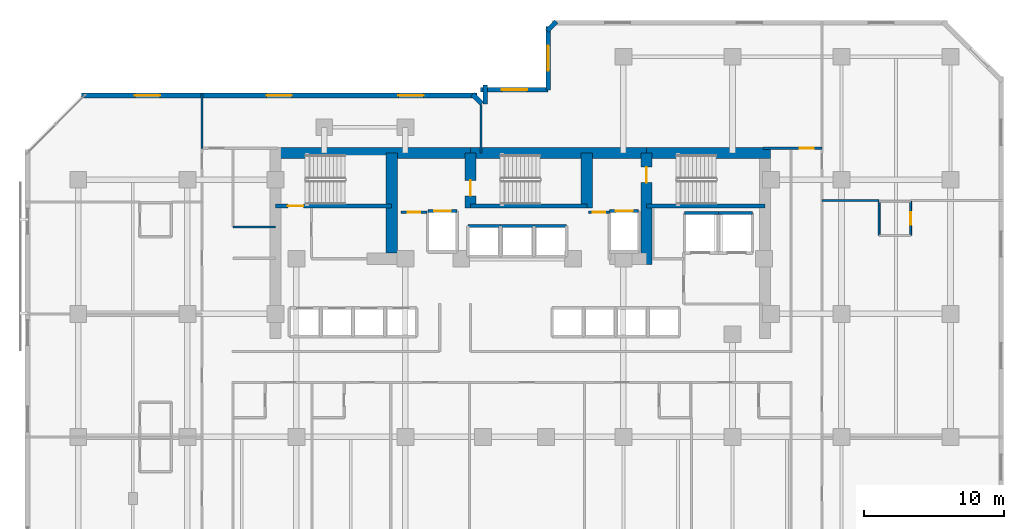
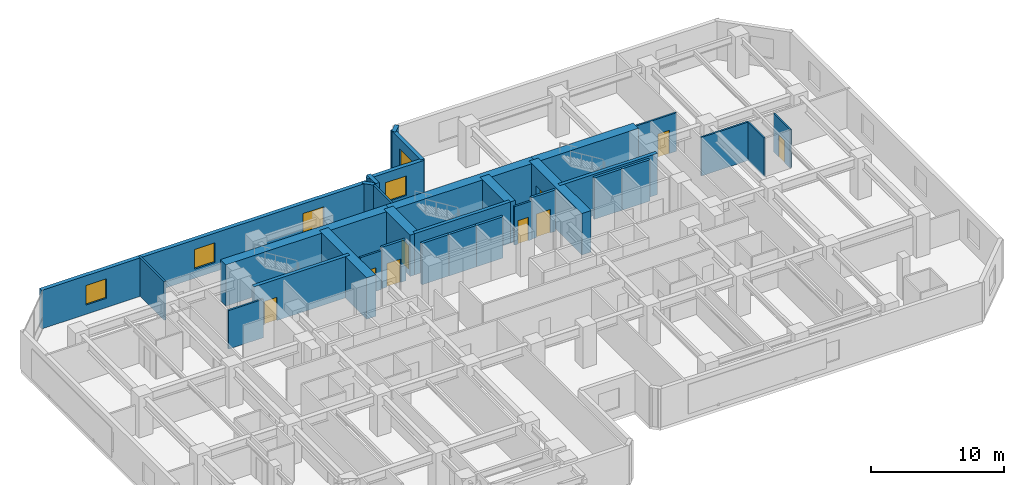
# One storey, part 9 of 12: 32 walls, 9 doors, 5 windows, 14 openings.
"""IFC4 building model written with IfcOpenShell, lengths in metres."""

from ifc_helpers import new_model, si_unit, direction, frame, frame_2d, origin, place, context, subcontext, project, spatial, rectangle, extrude, material, layer, layer_set, type_object, element, fill, save


model = new_model("IFC4")

# Units and contexts
model_context = context("Model", 3, precision=1e-05, world=origin(), true_north=direction((0.0, 1.0)))
body_context = subcontext(model_context, "Body", "Model", "MODEL_VIEW")
ifc_project = project(units=[si_unit("LENGTHUNIT", "METRE"), si_unit("AREAUNIT", "SQUARE_METRE"), si_unit("VOLUMEUNIT", "CUBIC_METRE"), si_unit("PLANEANGLEUNIT", "RADIAN"), si_unit("MASSUNIT", "GRAM", prefix="KILO")], contexts=[model_context])

# Site, building, storey
site_placement = place(None, origin())
site = spatial("IfcSite", under=ifc_project, at=site_placement, CompositionType="ELEMENT")
building_placement = place(site_placement, origin())
building = spatial("IfcBuilding", under=site, at=building_placement, Name="Kestravale Grand Hotel", CompositionType="ELEMENT")
storey_placement = place(building_placement, frame((0.0, 0.0, 95.60009765625)))
storey = spatial("IfcBuildingStorey", under=building, at=storey_placement, Name="L23", CompositionType="ELEMENT", Elevation=95.60009765625)

# Walls
ifc_material_1 = material(Name="Concrete f'c 60 MPa", Category="concrete")
ifc_layer_1 = layer(ifc_material_1, 0.800048828125)
ifc_layer_set_1 = layer_set([ifc_layer_1], Name="EW-CORE-800")
wall_type_1 = type_object("IfcWallType", Name="EW-CORE-800", PredefinedType="SHEAR", material=ifc_layer_set_1)
wall_1_placement = place(storey_placement, frame((21.5, 40.320068359375, 0.0), z_axis=(0.0, 0.0, 1.0), x_axis=(1.0, 0.0, 0.0)))
element("IfcWall", 1, at=wall_1_placement, inside=storey, type_object=wall_type_1, Name="L23 core shear wall N1", PredefinedType="SHEAR", context=body_context, shape_type="SweptSolid", body=[
    extrude(rectangle(XDim=14.35009765625, YDim=0.800048828125, at=frame_2d((7.175048828125, 0.0))), origin(), (0.0, 0.0, 1.0), 3.7998046875),
])
wall_2_placement = place(storey_placement, frame((35.85009765625, 40.320068359375, 0.0), z_axis=(0.0, 0.0, 1.0), x_axis=(1.0, 0.0, 0.0)))
element("IfcWall", 2, at=wall_2_placement, inside=storey, type_object=wall_type_1, Name="L23 core shear wall N2", PredefinedType="SHEAR", context=body_context, shape_type="SweptSolid", body=[
    extrude(rectangle(XDim=12.599853515625, YDim=0.800048828125, at=frame_2d((6.2998046875, 0.0))), origin(), (0.0, 0.0, 1.0), 3.7998046875),
])
wall_3_placement = place(storey_placement, frame((48.449951171875, 40.320068359375, 0.0), z_axis=(0.0, 0.0, 1.0), x_axis=(1.0, 0.0, 0.0)))
element("IfcWall", 3, at=wall_3_placement, inside=storey, type_object=wall_type_1, Name="L23 core shear wall N3", PredefinedType="SHEAR", context=body_context, shape_type="SweptSolid", body=[
    extrude(rectangle(XDim=8.8701171875, YDim=0.800048828125, at=frame_2d((4.43505859375, 0.0))), origin(), (0.0, 0.0, 1.0), 3.7998046875),
])
wall_4_placement = place(storey_placement, frame((30.219970703125, 33.14990234375, 0.0), z_axis=(0.0, 0.0, 1.0), x_axis=(0.0, 1.0, 0.0)))
element("IfcWall", 4, at=wall_4_placement, inside=storey, type_object=wall_type_1, Name="L23 core shear wall X1", PredefinedType="SHEAR", context=body_context, shape_type="SweptSolid", body=[
    extrude(rectangle(XDim=7.170166015625, YDim=0.800048828125, at=frame_2d((3.5849609375, 0.0))), origin(), (0.0, 0.0, 1.0), 3.7998046875),
])

# Wall, opening, door
wall_5_placement = place(storey_placement, frame((35.85009765625, 36.3701171875, 0.0), z_axis=(0.0, 0.0, 1.0), x_axis=(0.0, 1.0, 0.0)))
wall_5 = element("IfcWall", 5, at=wall_5_placement, inside=storey, type_object=wall_type_1, Name="L23 core shear wall X2", PredefinedType="SHEAR", context=body_context, shape_type="SweptSolid", body=[
    extrude(rectangle(XDim=3.949951171875, YDim=0.800048828125, at=frame_2d((1.97509765625, 0.0))), origin(), (0.0, 0.0, 1.0), 3.7998046875),
])
opening_1_placement = place(wall_5_placement, frame((0.8798828125, 0.0, 0.0)))
opening_1 = element("IfcOpeningElement", 6, at=opening_1_placement, cuts=wall_5, Name="Opening D-ST-1100", PredefinedType="OPENING", context=body_context, shape_type="SweptSolid", body=[
    extrude(rectangle(XDim=1.10009765625, YDim=2.14990234375, at=frame_2d((0.550048828125, 1.074951171875))), frame((0.0, 0.409912109375, 0.0), z_axis=(0.0, -1.0, 0.0), x_axis=(1.0, 0.0, 0.0)), (0.0, 0.0, 1.0), 0.820068359375),
])
ifc_material_2 = material(Name="Galvanised 90-minute fire-rated steel stair door", Category="steel")
door_type_1 = type_object("IfcDoorType", Name="D-ST-1100", OperationType="NOTDEFINED", PredefinedType="DOOR", material=ifc_material_2)
door_1_placement = place(opening_1_placement, origin())
door_1 = element("IfcDoor", 7, at=door_1_placement, inside=storey, type_object=door_type_1, Name="L23 Stair ST-2 FSAE fire door", OperationType="SINGLE_SWING_RIGHT", OverallHeight=2.14990234375, OverallWidth=1.10009765625, PredefinedType="DOOR", context=body_context, shape_type="SweptSolid", body=[
    extrude(rectangle(XDim=1.10009765625, YDim=2.14990234375, at=frame_2d((0.550048828125, 1.074951171875))), frame((0.0, 0.02490234375, 0.0), z_axis=(0.0, -1.0, 0.0), x_axis=(1.0, 0.0, 0.0)), (0.0, 0.0, 1.0), 0.050048828125),
])
fill(opening_1, door_1)

# Wall
wall_6_placement = place(storey_placement, frame((44.179931640625, 36.3701171875, 0.0), z_axis=(0.0, 0.0, 1.0), x_axis=(0.0, 1.0, 0.0)))
element("IfcWall", 8, at=wall_6_placement, inside=storey, type_object=wall_type_1, Name="L23 core shear wall X3", PredefinedType="SHEAR", context=body_context, shape_type="SweptSolid", body=[
    extrude(rectangle(XDim=3.949951171875, YDim=0.800048828125, at=frame_2d((1.97509765625, 0.0))), origin(), (0.0, 0.0, 1.0), 3.7998046875),
])

# Wall, opening, door
wall_7_placement = place(storey_placement, frame((48.449951171875, 32.35009765625, 0.0), z_axis=(0.0, 0.0, 1.0), x_axis=(0.0, 1.0, 0.0)))
wall_7 = element("IfcWall", 9, at=wall_7_placement, inside=storey, type_object=wall_type_1, Name="L23 core shear wall X4", PredefinedType="SHEAR", context=body_context, shape_type="SweptSolid", body=[
    extrude(rectangle(XDim=7.969970703125, YDim=0.800048828125, at=frame_2d((3.98486328125, 0.0))), origin(), (0.0, 0.0, 1.0), 3.7998046875),
])
opening_2_placement = place(wall_7_placement, frame((5.85009765625, 0.0, 0.0)))
opening_2 = element("IfcOpeningElement", 10, at=opening_2_placement, cuts=wall_7, Name="Opening D-ST-1100", PredefinedType="OPENING", context=body_context, shape_type="SweptSolid", body=[
    extrude(rectangle(XDim=1.10009765625, YDim=2.14990234375, at=frame_2d((0.550048828125, 1.074951171875))), frame((0.0, 0.409912109375, 0.0), z_axis=(0.0, -1.0, 0.0), x_axis=(1.0, 0.0, 0.0)), (0.0, 0.0, 1.0), 0.820068359375),
])
door_2_placement = place(opening_2_placement, origin())
door_2 = element("IfcDoor", 11, at=door_2_placement, inside=storey, type_object=door_type_1, Name="L23 Stair ST-3 FSAE fire door", OperationType="SINGLE_SWING_RIGHT", OverallHeight=2.14990234375, OverallWidth=1.10009765625, PredefinedType="DOOR", context=body_context, shape_type="SweptSolid", body=[
    extrude(rectangle(XDim=1.10009765625, YDim=2.14990234375, at=frame_2d((0.550048828125, 1.074951171875))), frame((0.0, 0.02490234375, 0.0), z_axis=(0.0, -1.0, 0.0), x_axis=(1.0, 0.0, 0.0)), (0.0, 0.0, 1.0), 0.050048828125),
])
fill(opening_2, door_2)

# Wall
ifc_material_3 = material(Name="Precast concrete f'c 45 MPa", Category="concrete")
ifc_layer_2 = layer(ifc_material_3, 0.340087890625)
ifc_layer_set_2 = layer_set([ifc_layer_2], Name="EW-PREC-340")
wall_type_2 = type_object("IfcWallType", Name="EW-PREC-340", PredefinedType="SOLIDWALL", material=ifc_layer_set_2)
wall_8_placement = place(storey_placement, frame((41.99853515625, 49.7080078125, 0.0), z_axis=(0.0, 0.0, 1.0), x_axis=(-0.707238225886, -0.706975312048, 0.0)))
element("IfcWall", 12, at=wall_8_placement, inside=storey, type_object=wall_type_2, Name="L23 fluted precast facade wall 12", PredefinedType="SOLIDWALL", context=body_context, shape_type="SweptSolid", body=[
    extrude(rectangle(XDim=0.9287109375, YDim=0.340087890625, at=frame_2d((0.46435546875, 0.0))), origin(), (0.0, 0.0, 1.0), 3.539794921875),
])

# Wall, opening, window
wall_9_placement = place(storey_placement, frame((41.419921875, 49.3701171875, 0.0), z_axis=(0.0, 0.0, 1.0), x_axis=(0.0, -1.0, 0.0)))
wall_9 = element("IfcWall", 13, at=wall_9_placement, inside=storey, type_object=wall_type_2, Name="L23 fluted precast facade wall 13", PredefinedType="SOLIDWALL", context=body_context, shape_type="SweptSolid", body=[
    extrude(rectangle(XDim=4.5400390625, YDim=0.340087890625, at=frame_2d((2.27001953125, 0.0))), origin(), (0.0, 0.0, 1.0), 3.539794921875),
])
opening_3_placement = place(wall_9_placement, frame((1.3701171875, 0.0, 0.85009765625)))
opening_3 = element("IfcOpeningElement", 14, at=opening_3_placement, cuts=wall_9, Name="Opening W-GUEST-1800", PredefinedType="OPENING", context=body_context, shape_type="SweptSolid", body=[
    extrude(rectangle(XDim=1.800048828125, YDim=1.800048828125, at=frame_2d((0.89990234375, 0.89990234375))), frame((0.0, 0.179931640625, 0.0), z_axis=(0.0, -1.0, 0.0), x_axis=(1.0, 0.0, 0.0)), (0.0, 0.0, 1.0), 0.360107421875),
])
ifc_material_4 = material(Name="Insulated low-E double glazing in aluminium frame", Category="aluminium")
window_type = type_object("IfcWindowType", Name="W-GUEST-1800", PartitioningType="DOUBLE_PANEL_VERTICAL", PredefinedType="WINDOW", material=ifc_material_4)
window_1_placement = place(opening_3_placement, origin())
window_1 = element("IfcWindow", 15, at=window_1_placement, inside=storey, type_object=window_type, Name="L23 exterior window 13.1", OverallHeight=1.800048828125, OverallWidth=1.800048828125, PartitioningType="SINGLE_PANEL", PredefinedType="WINDOW", context=body_context, shape_type="SweptSolid", body=[
    extrude(rectangle(XDim=1.800048828125, YDim=1.800048828125, at=frame_2d((0.89990234375, 0.89990234375))), frame((0.0, 0.030029296875, 0.0), z_axis=(0.0, -1.0, 0.0), x_axis=(1.0, 0.0, 0.0)), (0.0, 0.0, 1.0), 0.06005859375),
])
fill(opening_3, window_1)

wall_10_placement = place(storey_placement, frame((41.419921875, 44.830078125, 0.0), z_axis=(0.0, 0.0, 1.0), x_axis=(-1.0, 0.0, 0.0)))
wall_10 = element("IfcWall", 16, at=wall_10_placement, inside=storey, type_object=wall_type_2, Name="L23 fluted precast facade wall 14", PredefinedType="SOLIDWALL", context=body_context, shape_type="SweptSolid", body=[
    extrude(rectangle(XDim=4.83984375, YDim=0.340087890625, at=frame_2d((2.419921875, 0.0))), origin(), (0.0, 0.0, 1.0), 3.539794921875),
])
opening_4_placement = place(wall_10_placement, frame((1.52001953125, 0.0, 0.85009765625)))
opening_4 = element("IfcOpeningElement", 17, at=opening_4_placement, cuts=wall_10, Name="Opening W-GUEST-1800", PredefinedType="OPENING", context=body_context, shape_type="SweptSolid", body=[
    extrude(rectangle(XDim=1.800048828125, YDim=1.800048828125, at=frame_2d((0.89990234375, 0.89990234375))), frame((0.0, 0.179931640625, 0.0), z_axis=(0.0, -1.0, 0.0), x_axis=(1.0, 0.0, 0.0)), (0.0, 0.0, 1.0), 0.360107421875),
])
window_2_placement = place(opening_4_placement, origin())
window_2 = element("IfcWindow", 18, at=window_2_placement, inside=storey, type_object=window_type, Name="L23 exterior window 14.1", OverallHeight=1.800048828125, OverallWidth=1.800048828125, PartitioningType="SINGLE_PANEL", PredefinedType="WINDOW", context=body_context, shape_type="SweptSolid", body=[
    extrude(rectangle(XDim=1.800048828125, YDim=1.800048828125, at=frame_2d((0.89990234375, 0.89990234375))), frame((0.0, 0.030029296875, 0.0), z_axis=(0.0, -1.0, 0.0), x_axis=(1.0, 0.0, 0.0)), (0.0, 0.0, 1.0), 0.06005859375),
])
fill(opening_4, window_2)

# Walls
wall_11_placement = place(storey_placement, frame((36.919921875, 45.169921875, 0.0), z_axis=(0.0, 0.0, 1.0), x_axis=(0.0, -1.0, 0.0)))
element("IfcWall", 19, at=wall_11_placement, inside=storey, type_object=wall_type_2, Name="L23 fluted precast facade wall 15", PredefinedType="SOLIDWALL", context=body_context, shape_type="SweptSolid", body=[
    extrude(rectangle(XDim=1.33984375, YDim=0.340087890625, at=frame_2d((0.669921875, 0.0))), origin(), (0.0, 0.0, 1.0), 3.539794921875),
])
wall_12_placement = place(storey_placement, frame((36.658203125, 43.8515625, 0.0), z_axis=(0.0, 0.0, 1.0), x_axis=(-0.707238225886, 0.706975312048, 0.0)))
element("IfcWall", 20, at=wall_12_placement, inside=storey, type_object=wall_type_2, Name="L23 fluted precast facade wall 16", PredefinedType="SOLIDWALL", context=body_context, shape_type="SweptSolid", body=[
    extrude(rectangle(XDim=0.9287109375, YDim=0.340087890625, at=frame_2d((0.46435546875, 0.0))), origin(), (0.0, 0.0, 1.0), 3.539794921875),
])

# Wall, openings, windows
wall_13_placement = place(storey_placement, frame((36.320068359375, 44.429931640625, 0.0), z_axis=(0.0, 0.0, 1.0), x_axis=(-1.0, 0.0, 0.0)))
wall_13 = element("IfcWall", 21, at=wall_13_placement, inside=storey, type_object=wall_type_2, Name="L23 fluted precast facade wall 17", PredefinedType="SOLIDWALL", context=body_context, shape_type="SweptSolid", body=[
    extrude(rectangle(XDim=28.2900390625, YDim=0.340087890625, at=frame_2d((14.14501953125, 0.0))), origin(), (0.0, 0.0, 1.0), 3.539794921875),
])
opening_5_placement = place(wall_13_placement, frame((3.81494140625, 0.0, 0.85009765625)))
opening_5 = element("IfcOpeningElement", 22, at=opening_5_placement, cuts=wall_13, Name="Opening W-GUEST-1800", PredefinedType="OPENING", context=body_context, shape_type="SweptSolid", body=[
    extrude(rectangle(XDim=1.800048828125, YDim=1.800048828125, at=frame_2d((0.89990234375, 0.89990234375))), frame((0.0, 0.179931640625, 0.0), z_axis=(0.0, -1.0, 0.0), x_axis=(1.0, 0.0, 0.0)), (0.0, 0.0, 1.0), 0.360107421875),
])
opening_6_placement = place(wall_13_placement, frame((13.2451171875, 0.0, 0.85009765625)))
opening_6 = element("IfcOpeningElement", 23, at=opening_6_placement, cuts=wall_13, Name="Opening W-GUEST-1800", PredefinedType="OPENING", context=body_context, shape_type="SweptSolid", body=[
    extrude(rectangle(XDim=1.800048828125, YDim=1.800048828125, at=frame_2d((0.89990234375, 0.89990234375))), frame((0.0, 0.179931640625, 0.0), z_axis=(0.0, -1.0, 0.0), x_axis=(1.0, 0.0, 0.0)), (0.0, 0.0, 1.0), 0.360107421875),
])
opening_7_placement = place(wall_13_placement, frame((22.675048828125, 0.0, 0.85009765625)))
opening_7 = element("IfcOpeningElement", 24, at=opening_7_placement, cuts=wall_13, Name="Opening W-GUEST-1800", PredefinedType="OPENING", context=body_context, shape_type="SweptSolid", body=[
    extrude(rectangle(XDim=1.800048828125, YDim=1.800048828125, at=frame_2d((0.89990234375, 0.89990234375))), frame((0.0, 0.179931640625, 0.0), z_axis=(0.0, -1.0, 0.0), x_axis=(1.0, 0.0, 0.0)), (0.0, 0.0, 1.0), 0.360107421875),
])
window_3_placement = place(opening_5_placement, origin())
window_3 = element("IfcWindow", 25, at=window_3_placement, inside=storey, type_object=window_type, Name="L23 exterior window 17.1", OverallHeight=1.800048828125, OverallWidth=1.800048828125, PartitioningType="SINGLE_PANEL", PredefinedType="WINDOW", context=body_context, shape_type="SweptSolid", body=[
    extrude(rectangle(XDim=1.800048828125, YDim=1.800048828125, at=frame_2d((0.89990234375, 0.89990234375))), frame((0.0, 0.030029296875, 0.0), z_axis=(0.0, -1.0, 0.0), x_axis=(1.0, 0.0, 0.0)), (0.0, 0.0, 1.0), 0.06005859375),
])
fill(opening_5, window_3)
window_4_placement = place(opening_6_placement, origin())
window_4 = element("IfcWindow", 26, at=window_4_placement, inside=storey, type_object=window_type, Name="L23 exterior window 17.2", OverallHeight=1.800048828125, OverallWidth=1.800048828125, PartitioningType="SINGLE_PANEL", PredefinedType="WINDOW", context=body_context, shape_type="SweptSolid", body=[
    extrude(rectangle(XDim=1.800048828125, YDim=1.800048828125, at=frame_2d((0.89990234375, 0.89990234375))), frame((0.0, 0.030029296875, 0.0), z_axis=(0.0, -1.0, 0.0), x_axis=(1.0, 0.0, 0.0)), (0.0, 0.0, 1.0), 0.06005859375),
])
fill(opening_6, window_4)
window_5_placement = place(opening_7_placement, origin())
window_5 = element("IfcWindow", 27, at=window_5_placement, inside=storey, type_object=window_type, Name="L23 exterior window 17.3", OverallHeight=1.800048828125, OverallWidth=1.800048828125, PartitioningType="SINGLE_PANEL", PredefinedType="WINDOW", context=body_context, shape_type="SweptSolid", body=[
    extrude(rectangle(XDim=1.800048828125, YDim=1.800048828125, at=frame_2d((0.89990234375, 0.89990234375))), frame((0.0, 0.030029296875, 0.0), z_axis=(0.0, -1.0, 0.0), x_axis=(1.0, 0.0, 0.0)), (0.0, 0.0, 1.0), 0.06005859375),
])
fill(opening_7, window_5)

# Wall, opening, door
ifc_material_5 = material(Name="Concrete f'c 45 MPa", Category="concrete")
ifc_layer_3 = layer(ifc_material_5, 0.300048828125)
ifc_layer_set_3 = layer_set([ifc_layer_3], Name="EW-STAIR-300")
wall_type_3 = type_object("IfcWallType", Name="EW-STAIR-300", PredefinedType="SHEAR", material=ifc_layer_set_3)
wall_14_placement = place(storey_placement, frame((21.89990234375, 36.52001953125, 0.0), z_axis=(0.0, 0.0, 1.0), x_axis=(1.0, 0.0, 0.0)))
wall_14 = element("IfcWall", 28, at=wall_14_placement, inside=storey, type_object=wall_type_3, Name="L23 stair enclosure shear wall SST1", PredefinedType="SHEAR", context=body_context, shape_type="SweptSolid", body=[
    extrude(rectangle(XDim=8.320068359375, YDim=0.300048828125, at=frame_2d((4.16015625, 0.0))), origin(), (0.0, 0.0, 1.0), 3.7998046875),
])
opening_8_placement = place(wall_14_placement, frame((0.89990234375, 0.0, 0.0)))
opening_8 = element("IfcOpeningElement", 29, at=opening_8_placement, cuts=wall_14, Name="Opening D-ST-1100", PredefinedType="OPENING", context=body_context, shape_type="SweptSolid", body=[
    extrude(rectangle(XDim=1.10009765625, YDim=2.14990234375, at=frame_2d((0.550048828125, 1.074951171875))), frame((0.0, 0.159912109375, 0.0), z_axis=(0.0, -1.0, 0.0), x_axis=(1.0, 0.0, 0.0)), (0.0, 0.0, 1.0), 0.320068359375),
])
door_3_placement = place(opening_8_placement, origin())
door_3 = element("IfcDoor", 30, at=door_3_placement, inside=storey, type_object=door_type_1, Name="L23 Stair ST-1 fire door", OperationType="SINGLE_SWING_RIGHT", OverallHeight=2.14990234375, OverallWidth=1.10009765625, PredefinedType="DOOR", context=body_context, shape_type="SweptSolid", body=[
    extrude(rectangle(XDim=1.10009765625, YDim=2.14990234375, at=frame_2d((0.550048828125, 1.074951171875))), frame((0.0, 0.02490234375, 0.0), z_axis=(0.0, -1.0, 0.0), x_axis=(1.0, 0.0, 0.0)), (0.0, 0.0, 1.0), 0.050048828125),
])
fill(opening_8, door_3)

# Walls
wall_15_placement = place(storey_placement, frame((35.85009765625, 36.52001953125, 0.0), z_axis=(0.0, 0.0, 1.0), x_axis=(1.0, 0.0, 0.0)))
element("IfcWall", 31, at=wall_15_placement, inside=storey, type_object=wall_type_3, Name="L23 stair enclosure shear wall SST2", PredefinedType="SHEAR", context=body_context, shape_type="SweptSolid", body=[
    extrude(rectangle(XDim=8.329833984375, YDim=0.300048828125, at=frame_2d((4.1650390625, 0.0))), origin(), (0.0, 0.0, 1.0), 3.7998046875),
])
wall_16_placement = place(storey_placement, frame((48.449951171875, 36.52001953125, 0.0), z_axis=(0.0, 0.0, 1.0), x_axis=(1.0, 0.0, 0.0)))
element("IfcWall", 32, at=wall_16_placement, inside=storey, type_object=wall_type_3, Name="L23 stair enclosure shear wall SST3", PredefinedType="SHEAR", context=body_context, shape_type="SweptSolid", body=[
    extrude(rectangle(XDim=8.469970703125, YDim=0.300048828125, at=frame_2d((4.23486328125, 0.0))), origin(), (0.0, 0.0, 1.0), 3.7998046875),
])
ifc_material_6 = material(Name="Acoustic fire-rated gypsum board partition", Category="other")
ifc_layer_4 = layer(ifc_material_6, 0.159912109375)
ifc_layer_set_4 = layer_set([ifc_layer_4], Name="IW-CORR-160")
wall_type_4 = type_object("IfcWallType", Name="IW-CORR-160", PredefinedType="PARTITIONING", material=ifc_layer_set_4)
wall_17_placement = place(storey_placement, frame((18.860107421875, 35.02001953125, 0.0), z_axis=(0.0, 0.0, 1.0), x_axis=(1.0, 0.0, 0.0)))
element("IfcWall", 33, at=wall_17_placement, inside=storey, type_object=wall_type_4, Name="W-L23-SW-CN", PredefinedType="PARTITIONING", context=body_context, shape_type="SweptSolid", body=[
    extrude(rectangle(XDim=3.039794921875, YDim=0.159912109375, at=frame_2d((1.52001953125, 0.0))), origin(), (0.0, 0.0, 1.0), 3.539794921875),
])

# Wall, opening, door
ifc_material_7 = material(Name="Fire-rated gypsum board on steel studs with mineral wool", Category="steel")
ifc_layer_5 = layer(ifc_material_7, 0.179931640625)
ifc_layer_set_5 = layer_set([ifc_layer_5], Name="IW-FSAE-180")
wall_type_5 = type_object("IfcWallType", Name="IW-FSAE-180", PredefinedType="PARTITIONING", material=ifc_layer_set_5)
wall_18_placement = place(storey_placement, frame((30.89990234375, 36.080078125, 0.0), z_axis=(0.0, 0.0, 1.0), x_axis=(1.0, 0.0, 0.0)))
wall_18 = element("IfcWall", 34, at=wall_18_placement, inside=storey, type_object=wall_type_5, Name="L23 FSAE Lobby 1 smoke barrier", PredefinedType="PARTITIONING", context=body_context, shape_type="SweptSolid", body=[
    extrude(rectangle(XDim=1.85009765625, YDim=0.179931640625, at=frame_2d((0.925048828125, 0.0))), origin(), (0.0, 0.0, 1.0), 3.539794921875),
])
opening_9_placement = place(wall_18_placement, frame((0.47998046875, 0.0, 0.0)))
opening_9 = element("IfcOpeningElement", 35, at=opening_9_placement, cuts=wall_18, Name="Opening D-FSAE-1000", PredefinedType="OPENING", context=body_context, shape_type="SweptSolid", body=[
    extrude(rectangle(XDim=0.89990234375, YDim=2.14990234375, at=frame_2d((0.449951171875, 1.074951171875))), frame((0.0, 0.099853515625, 0.0), z_axis=(0.0, -1.0, 0.0), x_axis=(1.0, 0.0, 0.0)), (0.0, 0.0, 1.0), 0.199951171875),
])
ifc_material_8 = material(Name="Smoke-gasketed FSAE lobby fire door", Category="steel")
door_type_2 = type_object("IfcDoorType", Name="D-FSAE-1000", OperationType="NOTDEFINED", PredefinedType="DOOR", material=ifc_material_8)
door_4_placement = place(opening_9_placement, origin())
door_4 = element("IfcDoor", 36, at=door_4_placement, inside=storey, type_object=door_type_2, Name="L23 FSAE Lobby 1 fire door", OperationType="SINGLE_SWING_RIGHT", OverallHeight=2.14990234375, OverallWidth=0.89990234375, PredefinedType="DOOR", context=body_context, shape_type="SweptSolid", body=[
    extrude(rectangle(XDim=0.89990234375, YDim=2.14990234375, at=frame_2d((0.449951171875, 1.074951171875))), frame((0.0, 0.02490234375, 0.0), z_axis=(0.0, -1.0, 0.0), x_axis=(1.0, 0.0, 0.0)), (0.0, 0.0, 1.0), 0.050048828125),
])
fill(opening_9, door_4)

wall_19_placement = place(storey_placement, frame((44.300048828125, 36.080078125, 0.0), z_axis=(0.0, 0.0, 1.0), x_axis=(1.0, 0.0, 0.0)))
wall_19 = element("IfcWall", 37, at=wall_19_placement, inside=storey, type_object=wall_type_5, Name="L23 FSAE Lobby 2 smoke barrier", PredefinedType="PARTITIONING", context=body_context, shape_type="SweptSolid", body=[
    extrude(rectangle(XDim=1.5, YDim=0.179931640625, at=frame_2d((0.75, 0.0))), origin(), (0.0, 0.0, 1.0), 3.539794921875),
])
opening_10_placement = place(wall_19_placement, frame((0.300048828125, 0.0, 0.0)))
opening_10 = element("IfcOpeningElement", 38, at=opening_10_placement, cuts=wall_19, Name="Opening D-FSAE-1000", PredefinedType="OPENING", context=body_context, shape_type="SweptSolid", body=[
    extrude(rectangle(XDim=0.89990234375, YDim=2.14990234375, at=frame_2d((0.449951171875, 1.074951171875))), frame((0.0, 0.099853515625, 0.0), z_axis=(0.0, -1.0, 0.0), x_axis=(1.0, 0.0, 0.0)), (0.0, 0.0, 1.0), 0.199951171875),
])
door_5_placement = place(opening_10_placement, origin())
door_5 = element("IfcDoor", 39, at=door_5_placement, inside=storey, type_object=door_type_2, Name="L23 FSAE Lobby 2 fire door", OperationType="SINGLE_SWING_LEFT", OverallHeight=2.14990234375, OverallWidth=0.89990234375, PredefinedType="DOOR", context=body_context, shape_type="SweptSolid", body=[
    extrude(rectangle(XDim=0.89990234375, YDim=2.14990234375, at=frame_2d((0.449951171875, 1.074951171875))), frame((0.0, 0.02490234375, 0.0), z_axis=(0.0, -1.0, 0.0), x_axis=(1.0, 0.0, 0.0)), (0.0, 0.0, 1.0), 0.050048828125),
])
fill(opening_10, door_5)

# Wall
ifc_material_9 = material(Name="Moisture-resistant tile-backer plumbing chase wall", Category="other")
ifc_layer_6 = layer(ifc_material_9, 0.139892578125)
ifc_layer_set_6 = layer_set([ifc_layer_6], Name="IW-PLB-140")
wall_type_6 = type_object("IfcWallType", Name="IW-PLB-140", PredefinedType="PLUMBINGWALL", material=ifc_layer_set_6)
wall_20_placement = place(storey_placement, frame((65.10009765625, 34.409912109375, 0.0), z_axis=(0.0, 0.0, 1.0), x_axis=(0.0, 1.0, 0.0)))
element("IfcWall", 40, at=wall_20_placement, inside=storey, type_object=wall_type_6, Name="W-L23-U10-BW", PredefinedType="PLUMBINGWALL", context=body_context, shape_type="SweptSolid", body=[
    extrude(rectangle(XDim=2.4501953125, YDim=0.139892578125, at=frame_2d((1.22509765625, 0.0))), origin(), (0.0, 0.0, 1.0), 3.539794921875),
])

# Wall, opening, door
wall_21_placement = place(storey_placement, frame((67.35009765625, 34.409912109375, 0.0), z_axis=(0.0, 0.0, 1.0), x_axis=(0.0, 1.0, 0.0)))
wall_21 = element("IfcWall", 41, at=wall_21_placement, inside=storey, type_object=wall_type_6, Name="W-L23-U10-BE", PredefinedType="PLUMBINGWALL", context=body_context, shape_type="SweptSolid", body=[
    extrude(rectangle(XDim=2.4501953125, YDim=0.139892578125, at=frame_2d((1.22509765625, 0.0))), origin(), (0.0, 0.0, 1.0), 3.539794921875),
])
opening_11_placement = place(wall_21_placement, frame((0.784912109375, 0.0, 0.0)))
opening_11 = element("IfcOpeningElement", 42, at=opening_11_placement, cuts=wall_21, Name="Opening D-BATH-880", PredefinedType="OPENING", context=body_context, shape_type="SweptSolid", body=[
    extrude(rectangle(XDim=0.8798828125, YDim=2.050048828125, at=frame_2d((0.43994140625, 1.02490234375))), frame((0.0, 0.079833984375, 0.0), z_axis=(0.0, -1.0, 0.0), x_axis=(1.0, 0.0, 0.0)), (0.0, 0.0, 1.0), 0.159912109375),
])
ifc_material_10 = material(Name="Moisture-sealed walnut en-suite bathroom door", Category="wood")
door_type_3 = type_object("IfcDoorType", Name="D-BATH-880", OperationType="NOTDEFINED", PredefinedType="DOOR", material=ifc_material_10)
door_6_placement = place(opening_11_placement, origin())
door_6 = element("IfcDoor", 43, at=door_6_placement, inside=storey, type_object=door_type_3, Name="D-L23-U10-BATH", OperationType="SINGLE_SWING_LEFT", OverallHeight=2.050048828125, OverallWidth=0.8798828125, PredefinedType="DOOR", context=body_context, shape_type="SweptSolid", body=[
    extrude(rectangle(XDim=0.8798828125, YDim=2.050048828125, at=frame_2d((0.43994140625, 1.02490234375))), frame((0.0, 0.02490234375, 0.0), z_axis=(0.0, -1.0, 0.0), x_axis=(1.0, 0.0, 0.0)), (0.0, 0.0, 1.0), 0.050048828125),
])
fill(opening_11, door_6)

# Walls
ifc_material_11 = material(Name="Concrete f'c 45 MPa", Category="concrete")
ifc_layer_7 = layer(ifc_material_11, 0.219970703125)
ifc_layer_set_7 = layer_set([ifc_layer_7], Name="IW-SHAFT-220")
wall_type_7 = type_object("IfcWallType", Name="IW-SHAFT-220", PredefinedType="SHEAR", material=ifc_layer_set_7)
wall_22_placement = place(storey_placement, frame((35.679931640625, 35.080078125, 0.0), z_axis=(0.0, 0.0, 1.0), x_axis=(1.0, 0.0, 0.0)))
element("IfcWall", 44, at=wall_22_placement, inside=storey, type_object=wall_type_7, Name="L23 PL-X1 north shaft wall", PredefinedType="SHEAR", context=body_context, shape_type="SweptSolid", body=[
    extrude(rectangle(XDim=2.320068359375, YDim=0.219970703125, at=frame_2d((1.16015625, 0.0))), origin(), (0.0, 0.0, 1.0), 3.7998046875),
])
wall_23_placement = place(storey_placement, frame((38.0, 35.080078125, 0.0), z_axis=(0.0, 0.0, 1.0), x_axis=(1.0, 0.0, 0.0)))
element("IfcWall", 45, at=wall_23_placement, inside=storey, type_object=wall_type_7, Name="L23 PL-X2 north shaft wall", PredefinedType="SHEAR", context=body_context, shape_type="SweptSolid", body=[
    extrude(rectangle(XDim=2.39990234375, YDim=0.219970703125, at=frame_2d((1.199951171875, 0.0))), origin(), (0.0, 0.0, 1.0), 3.7998046875),
])
wall_24_placement = place(storey_placement, frame((40.39990234375, 35.080078125, 0.0), z_axis=(0.0, 0.0, 1.0), x_axis=(1.0, 0.0, 0.0)))
element("IfcWall", 46, at=wall_24_placement, inside=storey, type_object=wall_type_7, Name="L23 PL-X3 north shaft wall", PredefinedType="SHEAR", context=body_context, shape_type="SweptSolid", body=[
    extrude(rectangle(XDim=2.320068359375, YDim=0.219970703125, at=frame_2d((1.16015625, 0.0))), origin(), (0.0, 0.0, 1.0), 3.7998046875),
])
wall_25_placement = place(storey_placement, frame((51.179931640625, 36.030029296875, 0.0), z_axis=(0.0, 0.0, 1.0), x_axis=(1.0, 0.0, 0.0)))
element("IfcWall", 47, at=wall_25_placement, inside=storey, type_object=wall_type_7, Name="L23 SL-1 north shaft wall", PredefinedType="SHEAR", context=body_context, shape_type="SweptSolid", body=[
    extrude(rectangle(XDim=2.420166015625, YDim=0.219970703125, at=frame_2d((1.2099609375, 0.0))), origin(), (0.0, 0.0, 1.0), 3.7998046875),
])
wall_26_placement = place(storey_placement, frame((53.60009765625, 36.030029296875, 0.0), z_axis=(0.0, 0.0, 1.0), x_axis=(1.0, 0.0, 0.0)))
element("IfcWall", 48, at=wall_26_placement, inside=storey, type_object=wall_type_7, Name="L23 SL-2 north shaft wall", PredefinedType="SHEAR", context=body_context, shape_type="SweptSolid", body=[
    extrude(rectangle(XDim=2.419921875, YDim=0.219970703125, at=frame_2d((1.2099609375, 0.0))), origin(), (0.0, 0.0, 1.0), 3.7998046875),
])

# Wall, opening, door
wall_27_placement = place(storey_placement, frame((32.804931640625, 36.155029296875, 0.0), z_axis=(0.0, 0.0, 1.0), x_axis=(1.0, 0.0, 0.0)))
wall_27 = element("IfcWall", 49, at=wall_27_placement, inside=storey, type_object=wall_type_7, Name="L23 FL-1 north shaft wall", PredefinedType="SHEAR", context=body_context, shape_type="SweptSolid", body=[
    extrude(rectangle(XDim=2.090087890625, YDim=0.219970703125, at=frame_2d((1.044921875, 0.0))), origin(), (0.0, 0.0, 1.0), 3.7998046875),
])
opening_12_placement = place(wall_27_placement, frame((0.445068359375, 0.0, 0.0)))
opening_12 = element("IfcOpeningElement", 50, at=opening_12_placement, cuts=wall_27, Name="Opening LD-FSAE-1200", PredefinedType="OPENING", context=body_context, shape_type="SweptSolid", body=[
    extrude(rectangle(XDim=1.199951171875, YDim=2.14990234375, at=frame_2d((0.60009765625, 1.074951171875))), frame((0.0, 0.119873046875, 0.0), z_axis=(0.0, -1.0, 0.0), x_axis=(1.0, 0.0, 0.0)), (0.0, 0.0, 1.0), 0.239990234375),
])
ifc_material_12 = material(Name="Stainless fire-service sliding elevator landing door", Category="steel")
door_type_4 = type_object("IfcDoorType", Name="LD-FSAE-1200", OperationType="NOTDEFINED", PredefinedType="DOOR", material=ifc_material_12)
door_7_placement = place(opening_12_placement, origin())
door_7 = element("IfcDoor", 51, at=door_7_placement, inside=storey, type_object=door_type_4, Name="L23 FL-1 elevator landing sliding door", OperationType="DOUBLE_DOOR_SLIDING", OverallHeight=2.14990234375, OverallWidth=1.199951171875, PredefinedType="DOOR", context=body_context, shape_type="SweptSolid", body=[
    extrude(rectangle(XDim=1.199951171875, YDim=2.14990234375, at=frame_2d((0.60009765625, 1.074951171875))), frame((0.0, 0.02490234375, 0.0), z_axis=(0.0, -1.0, 0.0), x_axis=(1.0, 0.0, 0.0)), (0.0, 0.0, 1.0), 0.050048828125),
])
fill(opening_12, door_7)

wall_28_placement = place(storey_placement, frame((45.804931640625, 36.155029296875, 0.0), z_axis=(0.0, 0.0, 1.0), x_axis=(1.0, 0.0, 0.0)))
wall_28 = element("IfcWall", 52, at=wall_28_placement, inside=storey, type_object=wall_type_7, Name="L23 FL-2 north shaft wall", PredefinedType="SHEAR", context=body_context, shape_type="SweptSolid", body=[
    extrude(rectangle(XDim=2.090087890625, YDim=0.219970703125, at=frame_2d((1.044921875, 0.0))), origin(), (0.0, 0.0, 1.0), 3.7998046875),
])
opening_13_placement = place(wall_28_placement, frame((0.445068359375, 0.0, 0.0)))
opening_13 = element("IfcOpeningElement", 53, at=opening_13_placement, cuts=wall_28, Name="Opening LD-FSAE-1200", PredefinedType="OPENING", context=body_context, shape_type="SweptSolid", body=[
    extrude(rectangle(XDim=1.199951171875, YDim=2.14990234375, at=frame_2d((0.60009765625, 1.074951171875))), frame((0.0, 0.119873046875, 0.0), z_axis=(0.0, -1.0, 0.0), x_axis=(1.0, 0.0, 0.0)), (0.0, 0.0, 1.0), 0.239990234375),
])
door_8_placement = place(opening_13_placement, origin())
door_8 = element("IfcDoor", 54, at=door_8_placement, inside=storey, type_object=door_type_4, Name="L23 FL-2 elevator landing sliding door", OperationType="DOUBLE_DOOR_SLIDING", OverallHeight=2.14990234375, OverallWidth=1.199951171875, PredefinedType="DOOR", context=body_context, shape_type="SweptSolid", body=[
    extrude(rectangle(XDim=1.199951171875, YDim=2.14990234375, at=frame_2d((0.60009765625, 1.074951171875))), frame((0.0, 0.02490234375, 0.0), z_axis=(0.0, -1.0, 0.0), x_axis=(1.0, 0.0, 0.0)), (0.0, 0.0, 1.0), 0.050048828125),
])
fill(opening_13, door_8)

ifc_material_13 = material(Name="Double-stud STC 52 acoustic demising partition", Category="other")
ifc_layer_8 = layer(ifc_material_13, 0.14990234375)
ifc_layer_set_8 = layer_set([ifc_layer_8], Name="IW-UNIT-150")
wall_type_8 = type_object("IfcWallType", Name="IW-UNIT-150", PredefinedType="PARTITIONING", material=ifc_layer_set_8)
wall_29_placement = place(storey_placement, frame((56.800048828125, 40.64990234375, 0.0), z_axis=(0.0, 0.0, 1.0), x_axis=(1.0, 0.0, 0.0)))
wall_29 = element("IfcWall", 55, at=wall_29_placement, inside=storey, type_object=wall_type_8, Name="W-L23-SE-N", PredefinedType="PARTITIONING", context=body_context, shape_type="SweptSolid", body=[
    extrude(rectangle(XDim=4.2099609375, YDim=0.14990234375, at=frame_2d((2.10498046875, 0.0))), origin(), (0.0, 0.0, 1.0), 3.539794921875),
])
opening_14_placement = place(wall_29_placement, frame((2.60009765625, 0.0, 0.0)))
opening_14 = element("IfcOpeningElement", 56, at=opening_14_placement, cuts=wall_29, Name="Opening D-GUEST-1000", PredefinedType="OPENING", context=body_context, shape_type="SweptSolid", body=[
    extrude(rectangle(XDim=1.0, YDim=2.14990234375, at=frame_2d((0.5, 1.074951171875))), frame((0.0, 0.0849609375, 0.0), z_axis=(0.0, -1.0, 0.0), x_axis=(1.0, 0.0, 0.0)), (0.0, 0.0, 1.0), 0.169921875),
])
ifc_material_14 = material(Name="Accessible walnut veneer hotel entrance fire door", Category="wood")
door_type_5 = type_object("IfcDoorType", Name="D-GUEST-1000", OperationType="NOTDEFINED", PredefinedType="DOOR", material=ifc_material_14)
door_9_placement = place(opening_14_placement, origin())
door_9 = element("IfcDoor", 57, at=door_9_placement, inside=storey, type_object=door_type_5, Name="L23 NE Gallery Door", OperationType="SINGLE_SWING_LEFT", OverallHeight=2.14990234375, OverallWidth=1.0, PredefinedType="DOOR", context=body_context, shape_type="SweptSolid", body=[
    extrude(rectangle(XDim=1.0, YDim=2.14990234375, at=frame_2d((0.5, 1.074951171875))), frame((0.0, 0.02490234375, 0.0), z_axis=(0.0, -1.0, 0.0), x_axis=(1.0, 0.0, 0.0)), (0.0, 0.0, 1.0), 0.050048828125),
])
fill(opening_14, door_9)

# Walls
wall_30_placement = place(storey_placement, frame((16.639892578125, 40.64990234375, 0.0), z_axis=(0.0, 0.0, 1.0), x_axis=(0.0, 1.0, 0.0)))
element("IfcWall", 58, at=wall_30_placement, inside=storey, type_object=wall_type_8, Name="W-L23-NGW-W", PredefinedType="PARTITIONING", context=body_context, shape_type="SweptSolid", body=[
    extrude(rectangle(XDim=3.93017578125, YDim=0.14990234375, at=frame_2d((1.965087890625, 0.0))), origin(), (0.0, 0.0, 1.0), 3.539794921875),
])
wall_31_placement = place(storey_placement, frame((36.60009765625, 40.320068359375, 0.0), z_axis=(0.0, 0.0, 1.0), x_axis=(0.0, 1.0, 0.0)))
element("IfcWall", 59, at=wall_31_placement, inside=storey, type_object=wall_type_8, Name="W-L23-NGM", PredefinedType="PARTITIONING", context=body_context, shape_type="SweptSolid", body=[
    extrude(rectangle(XDim=3.445068359375, YDim=0.14990234375, at=frame_2d((1.72265625, 0.0))), origin(), (0.0, 0.0, 1.0), 3.539794921875),
])
wall_32_placement = place(storey_placement, frame((61.010009765625, 36.89990234375, 0.0), z_axis=(0.0, 0.0, 1.0), x_axis=(1.0, 0.0, 0.0)))
element("IfcWall", 60, at=wall_32_placement, inside=storey, type_object=wall_type_8, Name="W-L23-EW-2", PredefinedType="PARTITIONING", context=body_context, shape_type="SweptSolid", body=[
    extrude(rectangle(XDim=4.090087890625, YDim=0.14990234375, at=frame_2d((2.044921875, 0.0))), origin(), (0.0, 0.0, 1.0), 3.539794921875),
])

save(model, "model.ifc")
